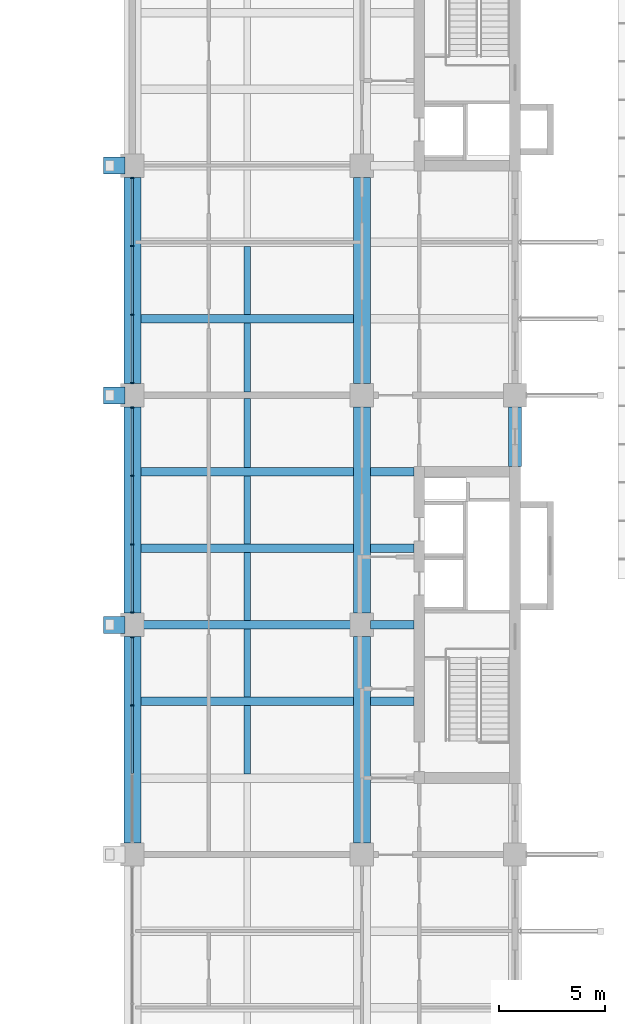
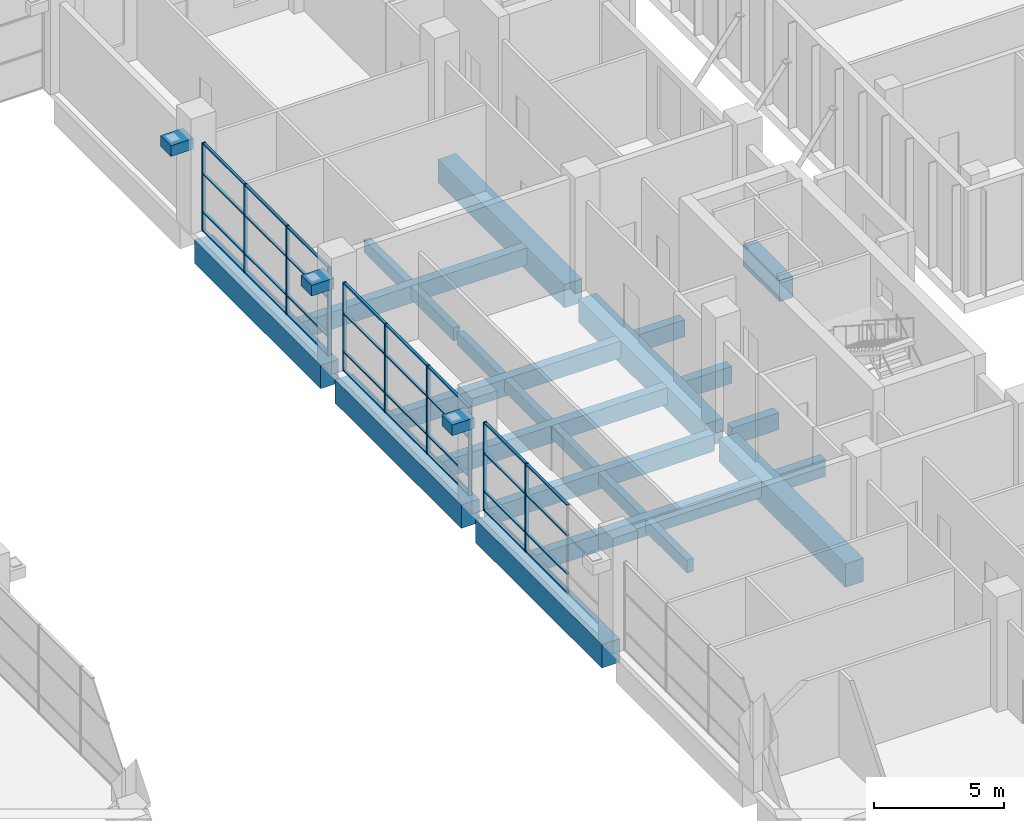
# One storey, part 8 of 38: 42 members, 26 beams, 3 elements without a shape of their own.
"""IFC4 building model written with IfcOpenShell, lengths in metres."""

import ifcopenshell
import ifcopenshell.guid

model = None  # the IFC model being written
_history = None  # IfcOwnerHistory: only IFC2X3 demands one
_inside = {}  # id of a spatial element -> (the spatial element, [elements in it])
_under = {}  # id of a project, library or spatial element -> (it, [spatial elements below it])
_declared = {}  # id of a project -> (the project, [libraries it declares])
_typed = {}  # id of a type object -> (the type object, [elements of that type])
_made_of = {}  # id of a material, layer set ... -> (it, [elements and type objects made of it])


def new_model(schema):
    """Start an empty IFC model of exactly this schema.

    Asked for "IFC4X3", IfcOpenShell would pick the latest addendum, in which some entities
    have other attributes; the version numbers below select the first issue.
    IFC2X3 requires an IfcOwnerHistory on every rooted entity: one is made here for all.
    """
    global model, _history
    if schema == "IFC4X3":
        model = ifcopenshell.file(schema_version=(4, 3, 0, 0))
    else:
        model = ifcopenshell.file(schema=schema)
    _inside.clear()
    _under.clear()
    _declared.clear()
    _typed.clear()
    _made_of.clear()
    _history = None
    if model.schema == "IFC2X3":
        org = make("IfcOrganization", Name="unknown")
        user = make(
            "IfcPersonAndOrganization",
            ThePerson=make("IfcPerson", FamilyName="unknown"),
            TheOrganization=org,
        )
        app = make(
            "IfcApplication",
            ApplicationDeveloper=org,
            Version="unknown",
            ApplicationFullName="unknown",
            ApplicationIdentifier="unknown",
        )
        _history = make(
            "IfcOwnerHistory",
            OwningUser=user,
            OwningApplication=app,
            ChangeAction="ADDED",
            CreationDate=0,
        )
    return model


def make(cls, **values):
    """One entity of the class cls with the attributes given. An attribute that is None is left unset."""
    return model.create_entity(
        cls, **{name: value for name, value in values.items() if value is not None}
    )


def rooted(cls, **values):
    """An entity with a GlobalId (a new one), such as an element, a storey or a relation."""
    return make(cls, GlobalId=ifcopenshell.guid.new(), OwnerHistory=_history, **values)


def si_unit(unit_type, name, prefix=None):
    """IfcSIUnit, for example si_unit("LENGTHUNIT", "METRE", prefix="MILLI")."""
    return make("IfcSIUnit", UnitType=unit_type, Prefix=prefix, Name=name)


def assignment(units):
    """IfcUnitAssignment: the units of a project."""
    return None if units is None else make("IfcUnitAssignment", Units=units)


def point(xyz):
    """IfcCartesianPoint."""
    return None if xyz is None else make("IfcCartesianPoint", Coordinates=xyz)


def direction(xyz):
    """IfcDirection."""
    return None if xyz is None else make("IfcDirection", DirectionRatios=xyz)


def frame(location, z_axis=None, x_axis=None):
    """IfcAxis2Placement3D, a coordinate frame: its origin and axes. An axis left out is left unset."""
    return make(
        "IfcAxis2Placement3D",
        Location=point(location),
        Axis=direction(z_axis),
        RefDirection=direction(x_axis),
    )


def frame_2d(location, x_axis=None):
    """IfcAxis2Placement2D, a coordinate frame in the plane: its origin and x axis."""
    return make(
        "IfcAxis2Placement2D", Location=point(location), RefDirection=direction(x_axis)
    )


def origin():
    """The frame at (0, 0, 0) with its axes left unset."""
    return frame((0.0, 0.0, 0.0))


def origin_2d():
    """The frame at (0, 0) in the plane with its x axis left unset."""
    return frame_2d((0.0, 0.0))


def place(relative_to, where):
    """IfcLocalPlacement: puts the frame where relative to a parent placement (None: the world)."""
    return make(
        "IfcLocalPlacement", PlacementRelTo=relative_to, RelativePlacement=where
    )


def context(
    kind, dimensions, precision=None, world=None, true_north=None, identifier=None
):
    """IfcGeometricRepresentationContext, for example the 3D "Model" context."""
    return make(
        "IfcGeometricRepresentationContext",
        ContextIdentifier=identifier,
        ContextType=kind,
        CoordinateSpaceDimension=dimensions,
        Precision=precision,
        WorldCoordinateSystem=world,
        TrueNorth=true_north,
    )


def subcontext(parent, identifier, kind, view, scale=None):
    """IfcGeometricRepresentationSubContext, for example "Body" below "Model"."""
    return make(
        "IfcGeometricRepresentationSubContext",
        ContextIdentifier=identifier,
        ContextType=kind,
        ParentContext=parent,
        TargetScale=scale,
        TargetView=view,
    )


def project(units=None, contexts=None):
    """IfcProject with its units and contexts."""
    return rooted(
        "IfcProject",
        Name="project",
        RepresentationContexts=contexts,
        UnitsInContext=assignment(units),
    )


def spatial(cls, under=None, at=None, **own):
    """A site, building, storey or space (cls), placed at a placement, below another one or the project."""
    s = rooted(cls, ObjectPlacement=at, **own)
    if under is not None:
        _under.setdefault(under.id(), (under, []))[1].append(s)
    return s


def profile(cls, at=None, kind="AREA", **sizes):
    """A parametric profile (cls). Its sizes go by their IFC names, for example OverallWidth=200.0."""
    return make(cls, ProfileType=kind, Position=at, **sizes)


def rectangle(**sizes):
    """IfcRectangleProfileDef."""
    return profile("IfcRectangleProfileDef", **sizes)


def extrude(swept, where, along, depth):
    """IfcExtrudedAreaSolid: the profile swept, set in the frame where, extruded along a direction by depth."""
    return make(
        "IfcExtrudedAreaSolid",
        SweptArea=swept,
        Position=where,
        ExtrudedDirection=direction(along),
        Depth=depth,
    )


def shape(context_of_items, identifier, shape_type, items):
    """IfcShapeRepresentation: the items that make up one representation, for example the "Body"."""
    return make(
        "IfcShapeRepresentation",
        ContextOfItems=context_of_items,
        RepresentationIdentifier=identifier,
        RepresentationType=shape_type,
        Items=items,
    )


def material(Name=None, Category=None):
    """IfcMaterial."""
    return make("IfcMaterial", Name=Name, Category=Category)


def layer(
    of_material, thickness, ventilated=None, Name=None, Category=None, Priority=None
):
    """IfcMaterialLayer: one layer of a wall or slab, of a material (None: an air gap)."""
    return make(
        "IfcMaterialLayer",
        Material=of_material,
        LayerThickness=thickness,
        IsVentilated=ventilated,
        Name=Name,
        Category=Category,
        Priority=Priority,
    )


def layer_set(layers, Name=None):
    """IfcMaterialLayerSet."""
    return make("IfcMaterialLayerSet", MaterialLayers=layers, LayerSetName=Name)


def material_profile(
    of_material, cross_section, Name=None, Category=None, Priority=None
):
    """IfcMaterialProfile: a cross section and its material."""
    return make(
        "IfcMaterialProfile",
        Name=Name,
        Material=of_material,
        Profile=cross_section,
        Priority=Priority,
        Category=Category,
    )


def profile_set(profiles, Name=None, composite=None):
    """IfcMaterialProfileSet."""
    return make(
        "IfcMaterialProfileSet",
        Name=Name,
        MaterialProfiles=profiles,
        CompositeProfile=composite,
    )


def made_of(thing, what):
    """Note that an element or type object is made of a material, layer set ...; save() writes the relation."""
    if what is not None:
        _made_of.setdefault(what.id(), (what, []))[1].append(thing)
    return thing


def type_object(cls, material=None, **own):
    """A type object (cls), such as IfcWallType, which elements share."""
    return made_of(rooted(cls, **own), material)


def element(
    cls,
    number,
    at=None,
    inside=None,
    cuts=None,
    type_object=None,
    material=None,
    context=None,
    identifier="Body",
    shape_type=None,
    held_by="IfcProductDefinitionShape",
    body=None,
    shapes=None,
    **own,
):
    """One element of the class cls, such as IfcWall. Its Tag is "e" and its number.

    at: its placement. inside: the storey or other place that contains it. cuts: it is an
    opening in that element (IfcRelVoidsElement). A single representation is given by context,
    identifier, shape_type and body (its items); several are given by shapes. held_by: the class
    of the entity that holds the representations. save() writes the other relations.
    """
    e = rooted(cls, Tag="e%d" % number, ObjectPlacement=at, **own)
    if body is not None:
        shapes = [shape(context, identifier, shape_type, body)]
    if shapes is not None:
        e.Representation = make(held_by, Representations=shapes)
    if inside is not None:
        _inside.setdefault(inside.id(), (inside, []))[1].append(e)
    if cuts is not None:
        rooted(
            "IfcRelVoidsElement", RelatingBuildingElement=cuts, RelatedOpeningElement=e
        )
    if type_object is not None:
        _typed.setdefault(type_object.id(), (type_object, []))[1].append(e)
    return made_of(e, material)


def aggregate(whole, parts):
    """IfcRelAggregates: a whole, such as a stair, and the parts it consists of."""
    return rooted("IfcRelAggregates", RelatingObject=whole, RelatedObjects=parts)


def save(model, path):
    """Write the relations noted so far, then the file.

    IfcRelAggregates (storeys below a building ...), IfcRelContainedInSpatialStructure (elements
    in a storey), IfcRelDefinesByType, IfcRelAssociatesMaterial and IfcRelDeclares: one each for
    every whole, place, type object, material and project.
    """
    for whole, parts in _under.values():
        aggregate(whole, parts)
    for where, things in _inside.values():
        rooted(
            "IfcRelContainedInSpatialStructure",
            RelatedElements=things,
            RelatingStructure=where,
        )
    for kind, things in _typed.values():
        rooted("IfcRelDefinesByType", RelatedObjects=things, RelatingType=kind)
    for what, things in _made_of.values():
        rooted("IfcRelAssociatesMaterial", RelatedObjects=things, RelatingMaterial=what)
    for by, libraries in _declared.values():
        rooted("IfcRelDeclares", RelatingContext=by, RelatedDefinitions=libraries)
    model.write(path)


model = new_model("IFC4")

# Units and contexts
model_context = context("Model", 3, precision=1e-05, world=origin(), true_north=direction((0.0, 1.0)))
body_context = subcontext(model_context, "Body", "Model", "MODEL_VIEW")
ifc_project = project(units=[si_unit("LENGTHUNIT", "METRE"), si_unit("AREAUNIT", "SQUARE_METRE"), si_unit("VOLUMEUNIT", "CUBIC_METRE"), si_unit("PLANEANGLEUNIT", "RADIAN"), si_unit("MASSUNIT", "GRAM", prefix="KILO")], contexts=[model_context])

# Site, building, storey
site_placement = place(None, origin())
site = spatial("IfcSite", under=ifc_project, at=site_placement, CompositionType="ELEMENT")
building_placement = place(site_placement, origin())
building = spatial("IfcBuilding", under=site, at=building_placement, Name="Basin Gate Institute", CompositionType="ELEMENT")
storey_placement = place(building_placement, frame((0.0, 0.0, 16.800048828125)))
storey = spatial("IfcBuildingStorey", under=building, at=storey_placement, Name="L03", CompositionType="ELEMENT", Elevation=16.800048828125)

# Beams
ifc_material_1 = material(Name="Concrete 40 MPa", Category="concrete")
ifc_material_profile_1 = material_profile(ifc_material_1, rectangle(XDim=0.39990234375, YDim=0.800048828125, at=origin_2d()), Name="Beam B2 400 x 800")
ifc_profile_set_1 = profile_set([ifc_material_profile_1], Name="Concrete 40 MPa")
beam_type_1 = type_object("IfcBeamType", Name="Beam B2 R180", PredefinedType="BEAM", material=ifc_profile_set_1)
beam_1_placement = place(storey_placement, frame((111.199951171875, 63.89990234375, -0.699951171875), z_axis=(-1.0, 0.0, 0.0), x_axis=(0.0, -1.0, 0.0)))
element("IfcBeam", 1, at=beam_1_placement, inside=storey, type_object=beam_type_1, material=ifc_profile_set_1, Name="BEAM/L03/E/EW/09", PredefinedType="BEAM", context=body_context, shape_type="SweptSolid", body=[
    extrude(rectangle(XDim=0.39990234375, YDim=0.800048828125, at=origin_2d()), origin(), (0.0, 0.0, 1.0), 10.0),
])
beam_2_placement = place(storey_placement, frame((114.050048828125, 63.89990234375, -0.699951171875), z_axis=(-1.0, 0.0, 0.0), x_axis=(0.0, -1.0, 0.0)))
element("IfcBeam", 2, at=beam_2_placement, inside=storey, type_object=beam_type_1, material=ifc_profile_set_1, Name="BEAM/L03/E/CORR/09", PredefinedType="BEAM", context=body_context, shape_type="SweptSolid", body=[
    extrude(rectangle(XDim=0.39990234375, YDim=0.800048828125, at=origin_2d()), origin(), (0.0, 0.0, 1.0), 2.050048828125),
])
beam_3_placement = place(storey_placement, frame((111.199951171875, 67.5, -0.699951171875), z_axis=(-1.0, 0.0, 0.0), x_axis=(0.0, -1.0, 0.0)))
element("IfcBeam", 3, at=beam_3_placement, inside=storey, type_object=beam_type_1, material=ifc_profile_set_1, Name="BEAM/L03/E/EW/10", PredefinedType="BEAM", context=body_context, shape_type="SweptSolid", body=[
    extrude(rectangle(XDim=0.39990234375, YDim=0.800048828125, at=origin_2d()), origin(), (0.0, 0.0, 1.0), 10.0),
])
beam_4_placement = place(storey_placement, frame((114.050048828125, 67.5, -0.699951171875), z_axis=(-1.0, 0.0, 0.0), x_axis=(0.0, -1.0, 0.0)))
element("IfcBeam", 4, at=beam_4_placement, inside=storey, type_object=beam_type_1, material=ifc_profile_set_1, Name="BEAM/L03/E/CORR/10", PredefinedType="BEAM", context=body_context, shape_type="SweptSolid", body=[
    extrude(rectangle(XDim=0.39990234375, YDim=0.800048828125, at=origin_2d()), origin(), (0.0, 0.0, 1.0), 2.050048828125),
])
beam_5_placement = place(storey_placement, frame((111.199951171875, 71.10009765625, -0.699951171875), z_axis=(-1.0, 0.0, 0.0), x_axis=(0.0, -1.0, 0.0)))
element("IfcBeam", 5, at=beam_5_placement, inside=storey, type_object=beam_type_1, material=ifc_profile_set_1, Name="BEAM/L03/E/EW/11", PredefinedType="BEAM", context=body_context, shape_type="SweptSolid", body=[
    extrude(rectangle(XDim=0.39990234375, YDim=0.800048828125, at=origin_2d()), origin(), (0.0, 0.0, 1.0), 10.0),
])
beam_6_placement = place(storey_placement, frame((114.050048828125, 71.10009765625, -0.699951171875), z_axis=(-1.0, 0.0, 0.0), x_axis=(0.0, -1.0, 0.0)))
element("IfcBeam", 6, at=beam_6_placement, inside=storey, type_object=beam_type_1, material=ifc_profile_set_1, Name="BEAM/L03/E/CORR/11", PredefinedType="BEAM", context=body_context, shape_type="SweptSolid", body=[
    extrude(rectangle(XDim=0.39990234375, YDim=0.800048828125, at=origin_2d()), origin(), (0.0, 0.0, 1.0), 2.050048828125),
])
beam_7_placement = place(storey_placement, frame((111.199951171875, 74.699951171875, -0.699951171875), z_axis=(-1.0, 0.0, 0.0), x_axis=(0.0, -1.0, 0.0)))
element("IfcBeam", 7, at=beam_7_placement, inside=storey, type_object=beam_type_1, material=ifc_profile_set_1, Name="BEAM/L03/E/EW/12", PredefinedType="BEAM", context=body_context, shape_type="SweptSolid", body=[
    extrude(rectangle(XDim=0.39990234375, YDim=0.800048828125, at=origin_2d()), origin(), (0.0, 0.0, 1.0), 10.0),
])
beam_8_placement = place(storey_placement, frame((114.050048828125, 74.699951171875, -0.699951171875), z_axis=(-1.0, 0.0, 0.0), x_axis=(0.0, -1.0, 0.0)))
element("IfcBeam", 8, at=beam_8_placement, inside=storey, type_object=beam_type_1, material=ifc_profile_set_1, Name="BEAM/L03/E/CORR/12", PredefinedType="BEAM", context=body_context, shape_type="SweptSolid", body=[
    extrude(rectangle(XDim=0.39990234375, YDim=0.800048828125, at=origin_2d()), origin(), (0.0, 0.0, 1.0), 2.050048828125),
])
beam_9_placement = place(storey_placement, frame((111.199951171875, 81.89990234375, -0.699951171875), z_axis=(-1.0, 0.0, 0.0), x_axis=(0.0, -1.0, 0.0)))
element("IfcBeam", 9, at=beam_9_placement, inside=storey, type_object=beam_type_1, material=ifc_profile_set_1, Name="BEAM/L03/E/EW/14", PredefinedType="BEAM", context=body_context, shape_type="SweptSolid", body=[
    extrude(rectangle(XDim=0.39990234375, YDim=0.800048828125, at=origin_2d()), origin(), (0.0, 0.0, 1.0), 10.0),
])
ifc_material_2 = material(Name="Concrete 40 MPa", Category="concrete")
ifc_material_profile_2 = material_profile(ifc_material_2, rectangle(XDim=0.800048828125, YDim=0.5, at=origin_2d()), Name="Beam CB1 800 x 500")
ifc_profile_set_2 = profile_set([ifc_material_profile_2], Name="Concrete 40 MPa")
beam_type_2 = type_object("IfcBeamType", Name="Beam CB1 R180", PredefinedType="BEAM", material=ifc_profile_set_2)
for number, where, z_axis, x_axis, name in (
    (10, (100.449951171875, 67.5, 4.099853515625), (-1.0, 0.0, 0.0), (0.0, -1.0, 0.0), "Atrium shell corbel R180 4E"),
    (11, (100.449951171875, 78.300048828125, 4.099853515625), (-1.0, 0.0, 0.0), (0.0, -1.0, 0.0), "Atrium shell corbel R180 5E"),
    (12, (100.449951171875, 89.10009765625, 4.099853515625), (-1.0, 0.0, 0.0), (0.0, -1.0, 0.0), "Atrium shell corbel R180 6E"),
):
    element("IfcBeam", number, at=place(storey_placement, frame(where, z_axis=z_axis, x_axis=x_axis)), inside=storey, type_object=beam_type_2, material=ifc_profile_set_2, Name=name, PredefinedType="BEAM", context=body_context, shape_type="SweptSolid", body=[
        extrude(rectangle(XDim=0.800048828125, YDim=0.5, at=origin_2d()), origin(), (0.0, 0.0, 1.0), 1.0),
    ])
ifc_material_3 = material(Name="Concrete 50 MPa", Category="concrete")
ifc_material_profile_3 = material_profile(ifc_material_3, rectangle(XDim=0.60009765625, YDim=1.0, at=origin_2d()), Name="Edge return beam EB4 600 x 1000")
ifc_profile_set_3 = profile_set([ifc_material_profile_3], Name="Concrete 50 MPa")
beam_type_3 = type_object("IfcBeamType", Name="Edge return beam EB4 R180", PredefinedType="SPANDREL", material=ifc_profile_set_3)
beam_10_placement = place(storey_placement, frame((118.800048828125, 74.949951171875, -0.800048828125), z_axis=(0.0, 1.0, 0.0), x_axis=(-1.0, 0.0, 0.0)))
element("IfcBeam", 13, at=beam_10_placement, inside=storey, type_object=beam_type_3, material=ifc_profile_set_3, Name="BEAM/L03/E/EDGE/3", PredefinedType="SPANDREL", context=body_context, shape_type="SweptSolid", body=[
    extrude(rectangle(XDim=0.60009765625, YDim=1.0, at=origin_2d()), origin(), (0.0, 0.0, 1.0), 2.800048828125),
])
ifc_material_4 = material(Name="Concrete 50 MPa", Category="concrete")
ifc_material_profile_4 = material_profile(ifc_material_4, rectangle(XDim=0.800048828125, YDim=1.10009765625, at=origin_2d()), Name="Girder G2 800 x 1100")
ifc_profile_set_4 = profile_set([ifc_material_profile_4], Name="Concrete 50 MPa")
beam_type_4 = type_object("IfcBeamType", Name="Girder G2 R180", PredefinedType="BEAM", material=ifc_profile_set_4)
for number, where, z_axis, x_axis, name in (
    (14, (111.60009765625, 57.25, -0.85009765625), (0.0, 1.0, 0.0), (-1.0, 0.0, 0.0), "GIR/L03/E8/3"),
    (15, (111.60009765625, 68.050048828125, -0.85009765625), (0.0, 1.0, 0.0), (-1.0, 0.0, 0.0), "GIR/L03/E8/4"),
    (16, (111.60009765625, 78.85009765625, -0.85009765625), (0.0, 1.0, 0.0), (-1.0, 0.0, 0.0), "GIR/L03/E8/5"),
    (17, (100.800048828125, 57.25, -0.85009765625), (0.0, 1.0, 0.0), (-1.0, 0.0, 0.0), "GIR/L03/E7/3"),
    (18, (100.800048828125, 68.050048828125, -0.85009765625), (0.0, 1.0, 0.0), (-1.0, 0.0, 0.0), "GIR/L03/E7/4"),
    (19, (100.800048828125, 78.85009765625, -0.85009765625), (0.0, 1.0, 0.0), (-1.0, 0.0, 0.0), "GIR/L03/E7/5"),
):
    element("IfcBeam", number, at=place(storey_placement, frame(where, z_axis=z_axis, x_axis=x_axis)), inside=storey, type_object=beam_type_4, material=ifc_profile_set_4, Name=name, PredefinedType="BEAM", context=body_context, shape_type="SweptSolid", body=[
        extrude(rectangle(XDim=0.800048828125, YDim=1.10009765625, at=origin_2d()), origin(), (0.0, 0.0, 1.0), 9.699951171875),
    ])

# Curtain wall, members
ifc_material_5 = material(Name="Fire-resistant glazing in steel-free frame", Category="steel")
ifc_layer = layer(ifc_material_5, 0.199951171875)
ifc_layer_set = layer_set([ifc_layer], Name="Fire-resistant glazing in steel-free frame")
curtain_wall_type = type_object("IfcCurtainWallType", Name="Atrium rated curtain wall CW3", PredefinedType="NOTDEFINED", material=ifc_layer_set)
curtain_wall_1_placement = place(storey_placement, origin())
curtain_wall_1 = element("IfcCurtainWall", 20, at=curtain_wall_1_placement, inside=storey, type_object=curtain_wall_type, material=ifc_layer_set, Name="Atrium rated curtain wall E wing atrium bay 3 L03", PredefinedType="NOTDEFINED")
ifc_material_6 = material(Name="Aluminium", Category="aluminium")
ifc_material_profile_5 = material_profile(ifc_material_6, rectangle(XDim=0.14990234375, YDim=0.06005859375, at=origin_2d()), Name="Mullion MU3 150 x 60")
ifc_profile_set_5 = profile_set([ifc_material_profile_5], Name="Aluminium")
member_type_1 = type_object("IfcMemberType", Name="Mullion MU3", PredefinedType="MULLION", material=ifc_profile_set_5)
member_1_placement = place(storey_placement, frame((100.800048828125, 63.716552734375, 0.0), z_axis=(0.0, 0.0, 1.0), x_axis=(-1.0, 0.0, 0.0)))
member_1 = element("IfcMember", 21, at=member_1_placement, type_object=member_type_1, material=ifc_profile_set_5, Name="CW3 mullion 3", PredefinedType="MULLION", context=body_context, shape_type="SweptSolid", body=[
    extrude(rectangle(XDim=0.14990234375, YDim=0.06005859375, at=origin_2d()), origin(), (0.0, 0.0, 1.0), 4.14990234375),
])
member_2_placement = place(storey_placement, frame((100.800048828125, 66.919921875, 0.0), z_axis=(0.0, 0.0, 1.0), x_axis=(-1.0, 0.0, 0.0)))
member_2 = element("IfcMember", 22, at=member_2_placement, type_object=member_type_1, material=ifc_profile_set_5, Name="CW3 mullion 4", PredefinedType="MULLION", context=body_context, shape_type="SweptSolid", body=[
    extrude(rectangle(XDim=0.14990234375, YDim=0.06005859375, at=origin_2d()), origin(), (0.0, 0.0, 1.0), 4.14990234375),
])

curtain_wall_2_placement = place(storey_placement, origin())
curtain_wall_2 = element("IfcCurtainWall", 23, at=curtain_wall_2_placement, inside=storey, type_object=curtain_wall_type, material=ifc_layer_set, Name="Atrium rated curtain wall E wing atrium bay 4 L03", PredefinedType="NOTDEFINED")
member_3_placement = place(storey_placement, frame((100.800048828125, 68.080078125, 0.0), z_axis=(0.0, 0.0, 1.0), x_axis=(-1.0, 0.0, 0.0)))
member_3 = element("IfcMember", 24, at=member_3_placement, type_object=member_type_1, material=ifc_profile_set_5, Name="CW3 mullion 1", PredefinedType="MULLION", context=body_context, shape_type="SweptSolid", body=[
    extrude(rectangle(XDim=0.14990234375, YDim=0.06005859375, at=origin_2d()), origin(), (0.0, 0.0, 1.0), 4.14990234375),
])
member_4_placement = place(storey_placement, frame((100.800048828125, 71.283447265625, 0.0), z_axis=(0.0, 0.0, 1.0), x_axis=(-1.0, 0.0, 0.0)))
member_4 = element("IfcMember", 25, at=member_4_placement, type_object=member_type_1, material=ifc_profile_set_5, Name="CW3 mullion 2", PredefinedType="MULLION", context=body_context, shape_type="SweptSolid", body=[
    extrude(rectangle(XDim=0.14990234375, YDim=0.06005859375, at=origin_2d()), origin(), (0.0, 0.0, 1.0), 4.14990234375),
])
member_5_placement = place(storey_placement, frame((100.800048828125, 74.5166015625, 0.0), z_axis=(0.0, 0.0, 1.0), x_axis=(-1.0, 0.0, 0.0)))
member_5 = element("IfcMember", 26, at=member_5_placement, type_object=member_type_1, material=ifc_profile_set_5, Name="CW3 mullion 3", PredefinedType="MULLION", context=body_context, shape_type="SweptSolid", body=[
    extrude(rectangle(XDim=0.14990234375, YDim=0.06005859375, at=origin_2d()), origin(), (0.0, 0.0, 1.0), 4.14990234375),
])
member_6_placement = place(storey_placement, frame((100.800048828125, 77.719970703125, 0.0), z_axis=(0.0, 0.0, 1.0), x_axis=(-1.0, 0.0, 0.0)))
member_6 = element("IfcMember", 27, at=member_6_placement, type_object=member_type_1, material=ifc_profile_set_5, Name="CW3 mullion 4", PredefinedType="MULLION", context=body_context, shape_type="SweptSolid", body=[
    extrude(rectangle(XDim=0.14990234375, YDim=0.06005859375, at=origin_2d()), origin(), (0.0, 0.0, 1.0), 4.14990234375),
])

curtain_wall_3_placement = place(storey_placement, origin())
curtain_wall_3 = element("IfcCurtainWall", 28, at=curtain_wall_3_placement, inside=storey, type_object=curtain_wall_type, material=ifc_layer_set, Name="Atrium rated curtain wall E wing atrium bay 5 L03", PredefinedType="NOTDEFINED")
member_7_placement = place(storey_placement, frame((100.800048828125, 78.8798828125, 0.0), z_axis=(0.0, 0.0, 1.0), x_axis=(-1.0, 0.0, 0.0)))
member_7 = element("IfcMember", 29, at=member_7_placement, type_object=member_type_1, material=ifc_profile_set_5, Name="CW3 mullion 1", PredefinedType="MULLION", context=body_context, shape_type="SweptSolid", body=[
    extrude(rectangle(XDim=0.14990234375, YDim=0.06005859375, at=origin_2d()), origin(), (0.0, 0.0, 1.0), 4.14990234375),
])
member_8_placement = place(storey_placement, frame((100.800048828125, 82.083251953125, 0.0), z_axis=(0.0, 0.0, 1.0), x_axis=(-1.0, 0.0, 0.0)))
member_8 = element("IfcMember", 30, at=member_8_placement, type_object=member_type_1, material=ifc_profile_set_5, Name="CW3 mullion 2", PredefinedType="MULLION", context=body_context, shape_type="SweptSolid", body=[
    extrude(rectangle(XDim=0.14990234375, YDim=0.06005859375, at=origin_2d()), origin(), (0.0, 0.0, 1.0), 4.14990234375),
])
member_9_placement = place(storey_placement, frame((100.800048828125, 85.316650390625, 0.0), z_axis=(0.0, 0.0, 1.0), x_axis=(-1.0, 0.0, 0.0)))
member_9 = element("IfcMember", 31, at=member_9_placement, type_object=member_type_1, material=ifc_profile_set_5, Name="CW3 mullion 3", PredefinedType="MULLION", context=body_context, shape_type="SweptSolid", body=[
    extrude(rectangle(XDim=0.14990234375, YDim=0.06005859375, at=origin_2d()), origin(), (0.0, 0.0, 1.0), 4.14990234375),
])
member_10_placement = place(storey_placement, frame((100.800048828125, 88.52001953125, 0.0), z_axis=(0.0, 0.0, 1.0), x_axis=(-1.0, 0.0, 0.0)))
member_10 = element("IfcMember", 32, at=member_10_placement, type_object=member_type_1, material=ifc_profile_set_5, Name="CW3 mullion 4", PredefinedType="MULLION", context=body_context, shape_type="SweptSolid", body=[
    extrude(rectangle(XDim=0.14990234375, YDim=0.06005859375, at=origin_2d()), origin(), (0.0, 0.0, 1.0), 4.14990234375),
])

# Beams
ifc_material_7 = material(Name="Concrete 40 MPa", Category="concrete")
ifc_material_profile_6 = material_profile(ifc_material_7, rectangle(XDim=0.300048828125, YDim=0.60009765625, at=origin_2d()), Name="Rib R2 300 x 600")
ifc_profile_set_6 = profile_set([ifc_material_profile_6], Name="Concrete 40 MPa")
beam_type_5 = type_object("IfcBeamType", Name="Rib R2 R180", PredefinedType="JOIST", material=ifc_profile_set_6)
for number, where, z_axis, x_axis, name in (
    (33, (106.199951171875, 60.5, -0.60009765625), (0.0, 1.0, 0.0), (-1.0, 0.0, 0.0), "BEAM/L03/E/RIB/08"),
    (34, (106.199951171875, 64.10009765625, -0.60009765625), (0.0, 1.0, 0.0), (-1.0, 0.0, 0.0), "BEAM/L03/E/RIB/09"),
    (35, (106.199951171875, 67.699951171875, -0.60009765625), (0.0, 1.0, 0.0), (-1.0, 0.0, 0.0), "BEAM/L03/E/RIB/10"),
    (36, (106.199951171875, 71.300048828125, -0.60009765625), (0.0, 1.0, 0.0), (-1.0, 0.0, 0.0), "BEAM/L03/E/RIB/11"),
):
    element("IfcBeam", number, at=place(storey_placement, frame(where, z_axis=z_axis, x_axis=x_axis)), inside=storey, type_object=beam_type_5, material=ifc_profile_set_6, Name=name, PredefinedType="JOIST", context=body_context, shape_type="SweptSolid", body=[
        extrude(rectangle(XDim=0.300048828125, YDim=0.60009765625, at=origin_2d()), origin(), (0.0, 0.0, 1.0), 3.199951171875),
    ])
for number, where, z_axis, x_axis, name in (
    (37, (106.199951171875, 74.89990234375, -0.60009765625), (0.0, 1.0, 0.0), (-1.0, 0.0, 0.0), "BEAM/L03/E/RIB/12"),
    (38, (106.199951171875, 78.449951171875, -0.60009765625), (0.0, 1.0, 0.0), (-1.0, 0.0, 0.0), "BEAM/L03/E/RIB/13"),
):
    element("IfcBeam", number, at=place(storey_placement, frame(where, z_axis=z_axis, x_axis=x_axis)), inside=storey, type_object=beam_type_5, material=ifc_profile_set_6, Name=name, PredefinedType="JOIST", context=body_context, shape_type="SweptSolid", body=[
        extrude(rectangle(XDim=0.300048828125, YDim=0.60009765625, at=origin_2d()), origin(), (0.0, 0.0, 1.0), 3.25),
    ])
beam_11_placement = place(storey_placement, frame((106.199951171875, 82.10009765625, -0.60009765625), z_axis=(0.0, 1.0, 0.0), x_axis=(-1.0, 0.0, 0.0)))
element("IfcBeam", 39, at=beam_11_placement, inside=storey, type_object=beam_type_5, material=ifc_profile_set_6, Name="BEAM/L03/E/RIB/14", PredefinedType="JOIST", context=body_context, shape_type="SweptSolid", body=[
    extrude(rectangle(XDim=0.300048828125, YDim=0.60009765625, at=origin_2d()), origin(), (0.0, 0.0, 1.0), 3.199951171875),
])

# Member
ifc_material_8 = material(Name="Aluminium", Category="aluminium")
ifc_material_profile_7 = material_profile(ifc_material_8, rectangle(XDim=0.1201171875, YDim=0.06005859375, at=origin_2d()), Name="Transom TR3 120 x 60")
ifc_profile_set_7 = profile_set([ifc_material_profile_7], Name="Aluminium")
member_type_2 = type_object("IfcMemberType", Name="Transom TR3", PredefinedType="USERDEFINED", material=ifc_profile_set_7)
member_11_placement = place(storey_placement, frame((100.800048828125, 60.513427734375, 0.030029296875), z_axis=(0.0, 1.0, 0.0), x_axis=(-1.0, 0.0, 0.0)))
member_11 = element("IfcMember", 40, at=member_11_placement, type_object=member_type_2, material=ifc_profile_set_7, Name="CW3 transom 2.1", ObjectType="TRANSOM", PredefinedType="USERDEFINED", context=body_context, shape_type="SweptSolid", body=[
    extrude(rectangle(XDim=0.1201171875, YDim=0.06005859375, at=origin_2d()), origin(), (0.0, 0.0, 1.0), 3.17333984375),
])

member_12_placement = place(storey_placement, frame((100.800048828125, 60.513427734375, 0.89990234375), z_axis=(0.0, 1.0, 0.0), x_axis=(-1.0, 0.0, 0.0)))
member_12 = element("IfcMember", 41, at=member_12_placement, type_object=member_type_2, material=ifc_profile_set_7, Name="CW3 transom 2.2", ObjectType="TRANSOM", PredefinedType="USERDEFINED", context=body_context, shape_type="SweptSolid", body=[
    extrude(rectangle(XDim=0.1201171875, YDim=0.06005859375, at=origin_2d()), origin(), (0.0, 0.0, 1.0), 3.17333984375),
])

member_13_placement = place(storey_placement, frame((100.800048828125, 60.513427734375, 2.699951171875), z_axis=(0.0, 1.0, 0.0), x_axis=(-1.0, 0.0, 0.0)))
member_13 = element("IfcMember", 42, at=member_13_placement, type_object=member_type_2, material=ifc_profile_set_7, Name="CW3 transom 2.3", ObjectType="TRANSOM", PredefinedType="USERDEFINED", context=body_context, shape_type="SweptSolid", body=[
    extrude(rectangle(XDim=0.1201171875, YDim=0.06005859375, at=origin_2d()), origin(), (0.0, 0.0, 1.0), 3.17333984375),
])

member_14_placement = place(storey_placement, frame((100.800048828125, 60.513427734375, 4.119873046875), z_axis=(0.0, 1.0, 0.0), x_axis=(-1.0, 0.0, 0.0)))
member_14 = element("IfcMember", 43, at=member_14_placement, type_object=member_type_2, material=ifc_profile_set_7, Name="CW3 transom 2.4", ObjectType="TRANSOM", PredefinedType="USERDEFINED", context=body_context, shape_type="SweptSolid", body=[
    extrude(rectangle(XDim=0.1201171875, YDim=0.06005859375, at=origin_2d()), origin(), (0.0, 0.0, 1.0), 3.17333984375),
])

member_15_placement = place(storey_placement, frame((100.800048828125, 63.74658203125, 0.030029296875), z_axis=(0.0, 1.0, 0.0), x_axis=(-1.0, 0.0, 0.0)))
member_15 = element("IfcMember", 44, at=member_15_placement, type_object=member_type_2, material=ifc_profile_set_7, Name="CW3 transom 3.1", ObjectType="TRANSOM", PredefinedType="USERDEFINED", context=body_context, shape_type="SweptSolid", body=[
    extrude(rectangle(XDim=0.1201171875, YDim=0.06005859375, at=origin_2d()), origin(), (0.0, 0.0, 1.0), 3.143310546875),
])

member_16_placement = place(storey_placement, frame((100.800048828125, 63.74658203125, 0.89990234375), z_axis=(0.0, 1.0, 0.0), x_axis=(-1.0, 0.0, 0.0)))
member_16 = element("IfcMember", 45, at=member_16_placement, type_object=member_type_2, material=ifc_profile_set_7, Name="CW3 transom 3.2", ObjectType="TRANSOM", PredefinedType="USERDEFINED", context=body_context, shape_type="SweptSolid", body=[
    extrude(rectangle(XDim=0.1201171875, YDim=0.06005859375, at=origin_2d()), origin(), (0.0, 0.0, 1.0), 3.143310546875),
])

member_17_placement = place(storey_placement, frame((100.800048828125, 63.74658203125, 2.699951171875), z_axis=(0.0, 1.0, 0.0), x_axis=(-1.0, 0.0, 0.0)))
member_17 = element("IfcMember", 46, at=member_17_placement, type_object=member_type_2, material=ifc_profile_set_7, Name="CW3 transom 3.3", ObjectType="TRANSOM", PredefinedType="USERDEFINED", context=body_context, shape_type="SweptSolid", body=[
    extrude(rectangle(XDim=0.1201171875, YDim=0.06005859375, at=origin_2d()), origin(), (0.0, 0.0, 1.0), 3.143310546875),
])

member_18_placement = place(storey_placement, frame((100.800048828125, 63.74658203125, 4.119873046875), z_axis=(0.0, 1.0, 0.0), x_axis=(-1.0, 0.0, 0.0)))
member_18 = element("IfcMember", 47, at=member_18_placement, type_object=member_type_2, material=ifc_profile_set_7, Name="CW3 transom 3.4", ObjectType="TRANSOM", PredefinedType="USERDEFINED", context=body_context, shape_type="SweptSolid", body=[
    extrude(rectangle(XDim=0.1201171875, YDim=0.06005859375, at=origin_2d()), origin(), (0.0, 0.0, 1.0), 3.143310546875),
])

aggregate(curtain_wall_1, [member_1, member_2, member_11, member_12, member_13, member_14, member_15, member_16, member_17, member_18])

member_19_placement = place(storey_placement, frame((100.800048828125, 68.110107421875, 0.030029296875), z_axis=(0.0, 1.0, 0.0), x_axis=(-1.0, 0.0, 0.0)))
member_19 = element("IfcMember", 48, at=member_19_placement, type_object=member_type_2, material=ifc_profile_set_7, Name="CW3 transom 1.1", ObjectType="TRANSOM", PredefinedType="USERDEFINED", context=body_context, shape_type="SweptSolid", body=[
    extrude(rectangle(XDim=0.1201171875, YDim=0.06005859375, at=origin_2d()), origin(), (0.0, 0.0, 1.0), 3.143310546875),
])

member_20_placement = place(storey_placement, frame((100.800048828125, 68.110107421875, 0.89990234375), z_axis=(0.0, 1.0, 0.0), x_axis=(-1.0, 0.0, 0.0)))
member_20 = element("IfcMember", 49, at=member_20_placement, type_object=member_type_2, material=ifc_profile_set_7, Name="CW3 transom 1.2", ObjectType="TRANSOM", PredefinedType="USERDEFINED", context=body_context, shape_type="SweptSolid", body=[
    extrude(rectangle(XDim=0.1201171875, YDim=0.06005859375, at=origin_2d()), origin(), (0.0, 0.0, 1.0), 3.143310546875),
])

member_21_placement = place(storey_placement, frame((100.800048828125, 68.110107421875, 2.699951171875), z_axis=(0.0, 1.0, 0.0), x_axis=(-1.0, 0.0, 0.0)))
member_21 = element("IfcMember", 50, at=member_21_placement, type_object=member_type_2, material=ifc_profile_set_7, Name="CW3 transom 1.3", ObjectType="TRANSOM", PredefinedType="USERDEFINED", context=body_context, shape_type="SweptSolid", body=[
    extrude(rectangle(XDim=0.1201171875, YDim=0.06005859375, at=origin_2d()), origin(), (0.0, 0.0, 1.0), 3.143310546875),
])

member_22_placement = place(storey_placement, frame((100.800048828125, 68.110107421875, 4.119873046875), z_axis=(0.0, 1.0, 0.0), x_axis=(-1.0, 0.0, 0.0)))
member_22 = element("IfcMember", 51, at=member_22_placement, type_object=member_type_2, material=ifc_profile_set_7, Name="CW3 transom 1.4", ObjectType="TRANSOM", PredefinedType="USERDEFINED", context=body_context, shape_type="SweptSolid", body=[
    extrude(rectangle(XDim=0.1201171875, YDim=0.06005859375, at=origin_2d()), origin(), (0.0, 0.0, 1.0), 3.143310546875),
])

member_23_placement = place(storey_placement, frame((100.800048828125, 71.313232421875, 0.030029296875), z_axis=(0.0, 1.0, 0.0), x_axis=(-1.0, 0.0, 0.0)))
member_23 = element("IfcMember", 52, at=member_23_placement, type_object=member_type_2, material=ifc_profile_set_7, Name="CW3 transom 2.1", ObjectType="TRANSOM", PredefinedType="USERDEFINED", context=body_context, shape_type="SweptSolid", body=[
    extrude(rectangle(XDim=0.1201171875, YDim=0.06005859375, at=origin_2d()), origin(), (0.0, 0.0, 1.0), 3.17333984375),
])

member_24_placement = place(storey_placement, frame((100.800048828125, 71.313232421875, 0.89990234375), z_axis=(0.0, 1.0, 0.0), x_axis=(-1.0, 0.0, 0.0)))
member_24 = element("IfcMember", 53, at=member_24_placement, type_object=member_type_2, material=ifc_profile_set_7, Name="CW3 transom 2.2", ObjectType="TRANSOM", PredefinedType="USERDEFINED", context=body_context, shape_type="SweptSolid", body=[
    extrude(rectangle(XDim=0.1201171875, YDim=0.06005859375, at=origin_2d()), origin(), (0.0, 0.0, 1.0), 3.17333984375),
])

member_25_placement = place(storey_placement, frame((100.800048828125, 71.313232421875, 2.699951171875), z_axis=(0.0, 1.0, 0.0), x_axis=(-1.0, 0.0, 0.0)))
member_25 = element("IfcMember", 54, at=member_25_placement, type_object=member_type_2, material=ifc_profile_set_7, Name="CW3 transom 2.3", ObjectType="TRANSOM", PredefinedType="USERDEFINED", context=body_context, shape_type="SweptSolid", body=[
    extrude(rectangle(XDim=0.1201171875, YDim=0.06005859375, at=origin_2d()), origin(), (0.0, 0.0, 1.0), 3.17333984375),
])

member_26_placement = place(storey_placement, frame((100.800048828125, 71.313232421875, 4.119873046875), z_axis=(0.0, 1.0, 0.0), x_axis=(-1.0, 0.0, 0.0)))
member_26 = element("IfcMember", 55, at=member_26_placement, type_object=member_type_2, material=ifc_profile_set_7, Name="CW3 transom 2.4", ObjectType="TRANSOM", PredefinedType="USERDEFINED", context=body_context, shape_type="SweptSolid", body=[
    extrude(rectangle(XDim=0.1201171875, YDim=0.06005859375, at=origin_2d()), origin(), (0.0, 0.0, 1.0), 3.17333984375),
])

member_27_placement = place(storey_placement, frame((100.800048828125, 74.546630859375, 0.030029296875), z_axis=(0.0, 1.0, 0.0), x_axis=(-1.0, 0.0, 0.0)))
member_27 = element("IfcMember", 56, at=member_27_placement, type_object=member_type_2, material=ifc_profile_set_7, Name="CW3 transom 3.1", ObjectType="TRANSOM", PredefinedType="USERDEFINED", context=body_context, shape_type="SweptSolid", body=[
    extrude(rectangle(XDim=0.1201171875, YDim=0.06005859375, at=origin_2d()), origin(), (0.0, 0.0, 1.0), 3.143310546875),
])

member_28_placement = place(storey_placement, frame((100.800048828125, 74.546630859375, 0.89990234375), z_axis=(0.0, 1.0, 0.0), x_axis=(-1.0, 0.0, 0.0)))
member_28 = element("IfcMember", 57, at=member_28_placement, type_object=member_type_2, material=ifc_profile_set_7, Name="CW3 transom 3.2", ObjectType="TRANSOM", PredefinedType="USERDEFINED", context=body_context, shape_type="SweptSolid", body=[
    extrude(rectangle(XDim=0.1201171875, YDim=0.06005859375, at=origin_2d()), origin(), (0.0, 0.0, 1.0), 3.143310546875),
])

member_29_placement = place(storey_placement, frame((100.800048828125, 74.546630859375, 2.699951171875), z_axis=(0.0, 1.0, 0.0), x_axis=(-1.0, 0.0, 0.0)))
member_29 = element("IfcMember", 58, at=member_29_placement, type_object=member_type_2, material=ifc_profile_set_7, Name="CW3 transom 3.3", ObjectType="TRANSOM", PredefinedType="USERDEFINED", context=body_context, shape_type="SweptSolid", body=[
    extrude(rectangle(XDim=0.1201171875, YDim=0.06005859375, at=origin_2d()), origin(), (0.0, 0.0, 1.0), 3.143310546875),
])

member_30_placement = place(storey_placement, frame((100.800048828125, 74.546630859375, 4.119873046875), z_axis=(0.0, 1.0, 0.0), x_axis=(-1.0, 0.0, 0.0)))
member_30 = element("IfcMember", 59, at=member_30_placement, type_object=member_type_2, material=ifc_profile_set_7, Name="CW3 transom 3.4", ObjectType="TRANSOM", PredefinedType="USERDEFINED", context=body_context, shape_type="SweptSolid", body=[
    extrude(rectangle(XDim=0.1201171875, YDim=0.06005859375, at=origin_2d()), origin(), (0.0, 0.0, 1.0), 3.143310546875),
])

aggregate(curtain_wall_2, [member_3, member_4, member_5, member_6, member_19, member_20, member_21, member_22, member_23, member_24, member_25, member_26, member_27, member_28, member_29, member_30])

member_31_placement = place(storey_placement, frame((100.800048828125, 78.909912109375, 0.030029296875), z_axis=(0.0, 1.0, 0.0), x_axis=(-1.0, 0.0, 0.0)))
member_31 = element("IfcMember", 60, at=member_31_placement, type_object=member_type_2, material=ifc_profile_set_7, Name="CW3 transom 1.1", ObjectType="TRANSOM", PredefinedType="USERDEFINED", context=body_context, shape_type="SweptSolid", body=[
    extrude(rectangle(XDim=0.1201171875, YDim=0.06005859375, at=origin_2d()), origin(), (0.0, 0.0, 1.0), 3.143310546875),
])

member_32_placement = place(storey_placement, frame((100.800048828125, 78.909912109375, 0.89990234375), z_axis=(0.0, 1.0, 0.0), x_axis=(-1.0, 0.0, 0.0)))
member_32 = element("IfcMember", 61, at=member_32_placement, type_object=member_type_2, material=ifc_profile_set_7, Name="CW3 transom 1.2", ObjectType="TRANSOM", PredefinedType="USERDEFINED", context=body_context, shape_type="SweptSolid", body=[
    extrude(rectangle(XDim=0.1201171875, YDim=0.06005859375, at=origin_2d()), origin(), (0.0, 0.0, 1.0), 3.143310546875),
])

member_33_placement = place(storey_placement, frame((100.800048828125, 78.909912109375, 2.699951171875), z_axis=(0.0, 1.0, 0.0), x_axis=(-1.0, 0.0, 0.0)))
member_33 = element("IfcMember", 62, at=member_33_placement, type_object=member_type_2, material=ifc_profile_set_7, Name="CW3 transom 1.3", ObjectType="TRANSOM", PredefinedType="USERDEFINED", context=body_context, shape_type="SweptSolid", body=[
    extrude(rectangle(XDim=0.1201171875, YDim=0.06005859375, at=origin_2d()), origin(), (0.0, 0.0, 1.0), 3.143310546875),
])

member_34_placement = place(storey_placement, frame((100.800048828125, 78.909912109375, 4.119873046875), z_axis=(0.0, 1.0, 0.0), x_axis=(-1.0, 0.0, 0.0)))
member_34 = element("IfcMember", 63, at=member_34_placement, type_object=member_type_2, material=ifc_profile_set_7, Name="CW3 transom 1.4", ObjectType="TRANSOM", PredefinedType="USERDEFINED", context=body_context, shape_type="SweptSolid", body=[
    extrude(rectangle(XDim=0.1201171875, YDim=0.06005859375, at=origin_2d()), origin(), (0.0, 0.0, 1.0), 3.143310546875),
])

member_35_placement = place(storey_placement, frame((100.800048828125, 82.11328125, 0.030029296875), z_axis=(0.0, 1.0, 0.0), x_axis=(-1.0, 0.0, 0.0)))
member_35 = element("IfcMember", 64, at=member_35_placement, type_object=member_type_2, material=ifc_profile_set_7, Name="CW3 transom 2.1", ObjectType="TRANSOM", PredefinedType="USERDEFINED", context=body_context, shape_type="SweptSolid", body=[
    extrude(rectangle(XDim=0.1201171875, YDim=0.06005859375, at=origin_2d()), origin(), (0.0, 0.0, 1.0), 3.17333984375),
])

member_36_placement = place(storey_placement, frame((100.800048828125, 82.11328125, 0.89990234375), z_axis=(0.0, 1.0, 0.0), x_axis=(-1.0, 0.0, 0.0)))
member_36 = element("IfcMember", 65, at=member_36_placement, type_object=member_type_2, material=ifc_profile_set_7, Name="CW3 transom 2.2", ObjectType="TRANSOM", PredefinedType="USERDEFINED", context=body_context, shape_type="SweptSolid", body=[
    extrude(rectangle(XDim=0.1201171875, YDim=0.06005859375, at=origin_2d()), origin(), (0.0, 0.0, 1.0), 3.17333984375),
])

member_37_placement = place(storey_placement, frame((100.800048828125, 82.11328125, 2.699951171875), z_axis=(0.0, 1.0, 0.0), x_axis=(-1.0, 0.0, 0.0)))
member_37 = element("IfcMember", 66, at=member_37_placement, type_object=member_type_2, material=ifc_profile_set_7, Name="CW3 transom 2.3", ObjectType="TRANSOM", PredefinedType="USERDEFINED", context=body_context, shape_type="SweptSolid", body=[
    extrude(rectangle(XDim=0.1201171875, YDim=0.06005859375, at=origin_2d()), origin(), (0.0, 0.0, 1.0), 3.17333984375),
])

member_38_placement = place(storey_placement, frame((100.800048828125, 82.11328125, 4.119873046875), z_axis=(0.0, 1.0, 0.0), x_axis=(-1.0, 0.0, 0.0)))
member_38 = element("IfcMember", 67, at=member_38_placement, type_object=member_type_2, material=ifc_profile_set_7, Name="CW3 transom 2.4", ObjectType="TRANSOM", PredefinedType="USERDEFINED", context=body_context, shape_type="SweptSolid", body=[
    extrude(rectangle(XDim=0.1201171875, YDim=0.06005859375, at=origin_2d()), origin(), (0.0, 0.0, 1.0), 3.17333984375),
])

member_39_placement = place(storey_placement, frame((100.800048828125, 85.3466796875, 0.030029296875), z_axis=(0.0, 1.0, 0.0), x_axis=(-1.0, 0.0, 0.0)))
member_39 = element("IfcMember", 68, at=member_39_placement, type_object=member_type_2, material=ifc_profile_set_7, Name="CW3 transom 3.1", ObjectType="TRANSOM", PredefinedType="USERDEFINED", context=body_context, shape_type="SweptSolid", body=[
    extrude(rectangle(XDim=0.1201171875, YDim=0.06005859375, at=origin_2d()), origin(), (0.0, 0.0, 1.0), 3.143310546875),
])

member_40_placement = place(storey_placement, frame((100.800048828125, 85.3466796875, 0.89990234375), z_axis=(0.0, 1.0, 0.0), x_axis=(-1.0, 0.0, 0.0)))
member_40 = element("IfcMember", 69, at=member_40_placement, type_object=member_type_2, material=ifc_profile_set_7, Name="CW3 transom 3.2", ObjectType="TRANSOM", PredefinedType="USERDEFINED", context=body_context, shape_type="SweptSolid", body=[
    extrude(rectangle(XDim=0.1201171875, YDim=0.06005859375, at=origin_2d()), origin(), (0.0, 0.0, 1.0), 3.143310546875),
])

member_41_placement = place(storey_placement, frame((100.800048828125, 85.3466796875, 2.699951171875), z_axis=(0.0, 1.0, 0.0), x_axis=(-1.0, 0.0, 0.0)))
member_41 = element("IfcMember", 70, at=member_41_placement, type_object=member_type_2, material=ifc_profile_set_7, Name="CW3 transom 3.3", ObjectType="TRANSOM", PredefinedType="USERDEFINED", context=body_context, shape_type="SweptSolid", body=[
    extrude(rectangle(XDim=0.1201171875, YDim=0.06005859375, at=origin_2d()), origin(), (0.0, 0.0, 1.0), 3.143310546875),
])

member_42_placement = place(storey_placement, frame((100.800048828125, 85.3466796875, 4.119873046875), z_axis=(0.0, 1.0, 0.0), x_axis=(-1.0, 0.0, 0.0)))
member_42 = element("IfcMember", 71, at=member_42_placement, type_object=member_type_2, material=ifc_profile_set_7, Name="CW3 transom 3.4", ObjectType="TRANSOM", PredefinedType="USERDEFINED", context=body_context, shape_type="SweptSolid", body=[
    extrude(rectangle(XDim=0.1201171875, YDim=0.06005859375, at=origin_2d()), origin(), (0.0, 0.0, 1.0), 3.143310546875),
])

aggregate(curtain_wall_3, [member_7, member_8, member_9, member_10, member_31, member_32, member_33, member_34, member_35, member_36, member_37, member_38, member_39, member_40, member_41, member_42])

save(model, "model.ifc")
